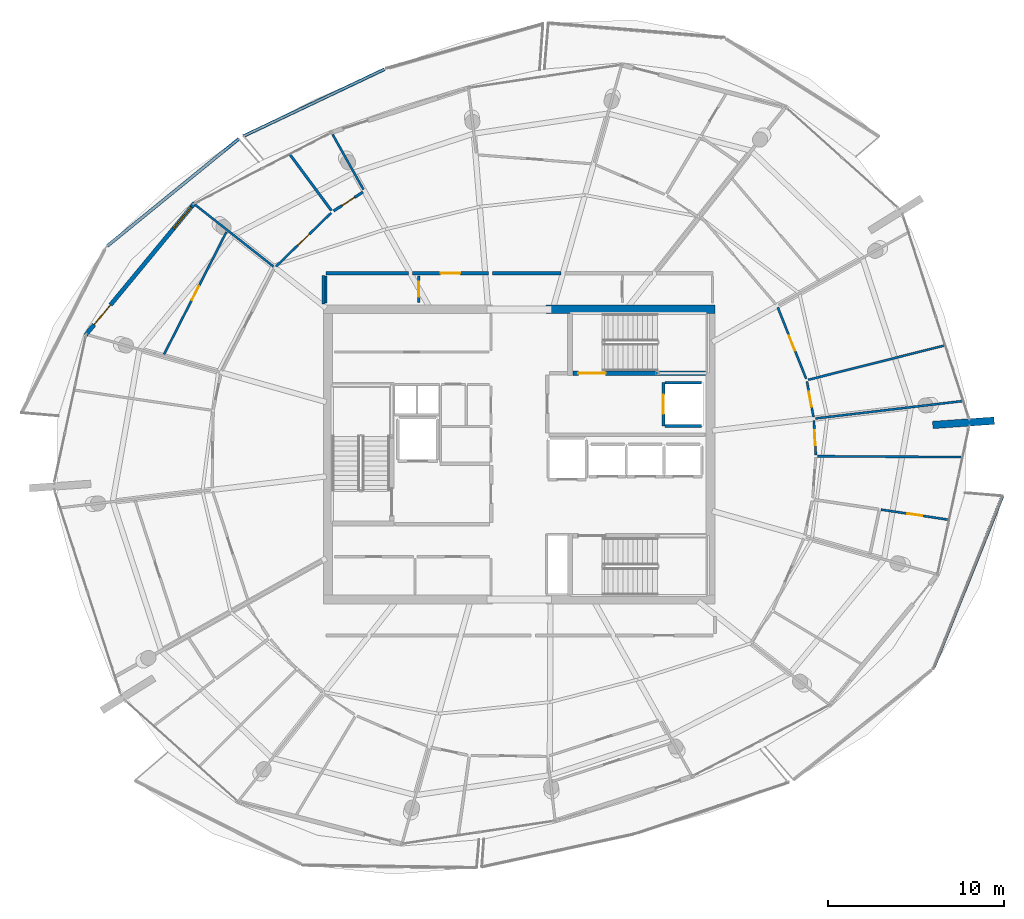
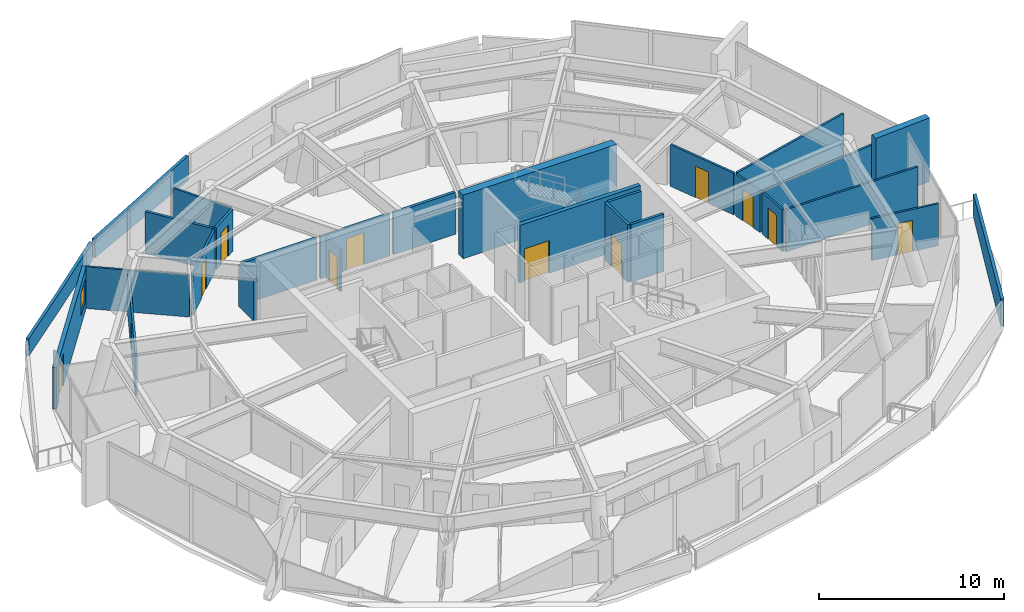
# One storey, part 12 of 19: 29 walls, 12 doors, 1 window, 13 openings.
"""IFC4 building model written with IfcOpenShell, lengths in metres."""

from ifc_helpers import new_model, si_unit, direction, frame, frame_2d, origin, place, context, subcontext, project, spatial, polyline, rectangle, outline, extrude, material, layer, layer_set, type_object, element, fill, save


model = new_model("IFC4")

# Units and contexts
model_context = context("Model", 3, precision=1e-05, world=origin(), true_north=direction((0.0, 1.0)))
body_context = subcontext(model_context, "Body", "Model", "MODEL_VIEW")
ifc_project = project(units=[si_unit("LENGTHUNIT", "METRE"), si_unit("AREAUNIT", "SQUARE_METRE"), si_unit("VOLUMEUNIT", "CUBIC_METRE"), si_unit("PLANEANGLEUNIT", "RADIAN"), si_unit("MASSUNIT", "GRAM", prefix="KILO")], contexts=[model_context])

# Site, building, storey
site_placement = place(None, origin())
site = spatial("IfcSite", under=ifc_project, at=site_placement, CompositionType="ELEMENT")
building_placement = place(site_placement, origin())
building = spatial("IfcBuilding", under=site, at=building_placement, Name="Kazma Halo Residences", CompositionType="ELEMENT")
storey_placement = place(building_placement, frame((0.0, 0.0, 347.300048828125)))
storey = spatial("IfcBuildingStorey", under=building, at=storey_placement, Name="L87", CompositionType="ELEMENT", Elevation=347.300048828125)

# Walls
ifc_material_1 = material(Name="White Concrete C50/60 Balustrade", Category="concrete")
ifc_layer_1 = layer(ifc_material_1, 0.179931640625)
ifc_layer_set_1 = layer_set([ifc_layer_1], Name="White Concrete C50/60 Balustrade")
wall_type_1 = type_object("IfcWallType", Name="WL-BAL-WAVE-180", PredefinedType="PARAPET", material=ifc_layer_set_1)
wall_1_placement = place(storey_placement, frame((40.757568359375, 63.90478515625, 0.0), z_axis=(0.0, 0.0, 1.0), x_axis=(-0.903556417481, -0.428469135912, 0.0)))
element("IfcWall", 1, at=wall_1_placement, inside=storey, type_object=wall_type_1, Name="L87 white wave balustrade wall NNW.2", PredefinedType="PARAPET", context=body_context, shape_type="SweptSolid", body=[
    extrude(outline(polyline([(0.0, 0.0), (8.882080078125, 0.0), (8.882080078125, 1.23291015625), (4.44091796875, 1.41796875), (0.0, 1.6318359375), (0.0, 0.0)])), frame((0.0, 0.08984375, 0.0), z_axis=(0.0, -1.0, 0.0), x_axis=(1.0, 0.0, 0.0)), (0.0, 0.0, 1.0), 0.179931640625),
])
wall_2_placement = place(storey_placement, frame((32.477783203125, 59.951171875, 0.0), z_axis=(0.0, 0.0, 1.0), x_axis=(-0.775308764642, -0.631582393255, 0.0)))
element("IfcWall", 2, at=wall_2_placement, inside=storey, type_object=wall_type_1, Name="L87 white wave balustrade wall NW.1", PredefinedType="PARAPET", context=body_context, shape_type="SweptSolid", body=[
    extrude(outline(polyline([(0.0, 0.0), (9.661865234375, 0.0), (9.66162109375, 1.14794921875), (4.830810546875, 1.126953125), (0.0, 1.223876953125), (0.0, 0.0)])), frame((0.0, 0.08984375, 0.0), z_axis=(0.0, -1.0, 0.0), x_axis=(1.0, 0.0, 0.0)), (0.0, 0.0, 1.0), 0.179931640625),
])
wall_3_placement = place(storey_placement, frame((72.0068359375, 29.902099609375, 0.0), z_axis=(0.0, 0.0, 1.0), x_axis=(0.372269858955, 0.928124534809, 0.0)))
element("IfcWall", 3, at=wall_3_placement, inside=storey, type_object=wall_type_1, Name="L87 white wave balustrade wall SE.2", PredefinedType="PARAPET", context=body_context, shape_type="SweptSolid", body=[
    extrude(outline(polyline([(0.0, 0.0), (10.483154296875, 0.0), (10.4833984375, 1.4970703125), (5.24169921875, 1.696044921875), (0.0, 1.83203125), (0.0, 0.0)])), frame((0.0, 0.08984375, 0.0), z_axis=(0.0, -1.0, 0.0), x_axis=(1.0, 0.0, 0.0)), (0.0, 0.0, 1.0), 0.179931640625),
])
ifc_material_2 = material(Name="Pale Concrete C60/75", Category="concrete")
ifc_layer_2 = layer(ifc_material_2, 0.419921875)
ifc_layer_set_2 = layer_set([ifc_layer_2], Name="Pale Concrete C60/75")
wall_type_2 = type_object("IfcWallType", Name="WL-BLADE-420", PredefinedType="SOLIDWALL", material=ifc_layer_set_2)
wall_4_placement = place(storey_placement, frame((71.94091796875, 43.674072265625, 0.0), z_axis=(0.0, 0.0, 1.0), x_axis=(0.997564163539, 0.069754853754, 0.0)))
element("IfcWall", 4, at=wall_4_placement, inside=storey, type_object=wall_type_2, Name="L87 pale concrete structural blade fin wall BW-04", PredefinedType="SOLIDWALL", context=body_context, shape_type="SweptSolid", body=[
    extrude(rectangle(XDim=3.5, YDim=0.419921875, at=frame_2d((1.75, 0.0))), origin(), (0.0, 0.0, 1.0), 4.199951171875),
])
ifc_material_3 = material(Name="Concrete C60/75", Category="concrete")
ifc_layer_3 = layer(ifc_material_3, 0.5)
ifc_layer_set_3 = layer_set([ifc_layer_3], Name="Concrete C60/75")
wall_type_3 = type_object("IfcWallType", Name="WL-CORE-500", PredefinedType="SHEAR", material=ifc_layer_set_3)
wall_5_placement = place(storey_placement, frame((49.949951171875, 50.25, 0.0), z_axis=(0.0, 0.0, 1.0), x_axis=(1.0, 0.0, 0.0)))
element("IfcWall", 5, at=wall_5_placement, inside=storey, type_object=wall_type_3, Name="L87 central core shear wall NE", PredefinedType="SHEAR", context=body_context, shape_type="SweptSolid", body=[
    extrude(rectangle(XDim=9.60009765625, YDim=0.5, at=frame_2d((4.800048828125, 0.0))), origin(), (0.0, 0.0, 1.0), 4.199951171875),
])

# Wall, opening, door
ifc_material_4 = material(Name="Acoustic Twin-Stud Gypsum")
ifc_layer_4 = layer(ifc_material_4, 0.179931640625)
ifc_layer_set_4 = layer_set([ifc_layer_4], Name="Acoustic Twin-Stud Gypsum")
wall_type_4 = type_object("IfcWallType", Name="WL-DEM-180", PredefinedType="PARTITIONING", material=ifc_layer_set_4)
wall_6_placement = place(storey_placement, frame((46.660888671875, 52.300048828125, 0.0), z_axis=(0.0, 0.0, 1.0), x_axis=(-1.0, 0.0, 0.0)))
wall_6 = element("IfcWall", 6, at=wall_6_placement, inside=storey, type_object=wall_type_4, Name="L87 Penthouse 1 entrance corridor wall", PredefinedType="PARTITIONING", context=body_context, shape_type="SweptSolid", body=[
    extrude(rectangle(XDim=4.30908203125, YDim=0.179931640625, at=frame_2d((2.154541015625, 0.0))), origin(), (0.0, 0.0, 1.0), 2.7568359375),
])
opening_1_placement = place(wall_6_placement, frame((1.6044921875, 0.0, 0.0)))
opening_1 = element("IfcOpeningElement", 7, at=opening_1_placement, cuts=wall_6, Name="Opening DA-1100", PredefinedType="OPENING", context=body_context, shape_type="SweptSolid", body=[
    extrude(rectangle(XDim=1.10009765625, YDim=2.10009765625, at=frame_2d((0.550048828125, 1.050048828125))), frame((0.0, 0.099853515625, 0.0), z_axis=(0.0, -1.0, 0.0), x_axis=(1.0, 0.0, 0.0)), (0.0, 0.0, 1.0), 0.199951171875),
])
ifc_material_5 = material(Name="Acoustic Walnut Fire Leaf")
door_type_1 = type_object("IfcDoorType", Name="DR-FD60-1100", OperationType="NOTDEFINED", PredefinedType="DOOR", material=ifc_material_5)
door_1_placement = place(opening_1_placement, origin())
door_1 = element("IfcDoor", 8, at=door_1_placement, inside=storey, type_object=door_type_1, Name="L87 Penthouse 1 entrance fire door", OperationType="SINGLE_SWING_LEFT", OverallHeight=2.10009765625, OverallWidth=1.10009765625, PredefinedType="DOOR", context=body_context, shape_type="SweptSolid", body=[
    extrude(rectangle(XDim=1.10009765625, YDim=2.10009765625, at=frame_2d((0.550048828125, 1.050048828125))), frame((0.0, 0.02490234375, 0.0), z_axis=(0.0, -1.0, 0.0), x_axis=(1.0, 0.0, 0.0)), (0.0, 0.0, 1.0), 0.050048828125),
])
fill(opening_1, door_1)

# Walls
wall_7_placement = place(storey_placement, frame((50.784912109375, 52.300048828125, 0.0), z_axis=(0.0, 0.0, 1.0), x_axis=(-1.0, 0.0, 0.0)))
element("IfcWall", 9, at=wall_7_placement, inside=storey, type_object=wall_type_4, Name="L87 Penthouse 1 inner wall 2", PredefinedType="PARTITIONING", context=body_context, shape_type="SweptSolid", body=[
    extrude(rectangle(XDim=3.884033203125, YDim=0.179931640625, at=frame_2d((1.94189453125, 0.0))), origin(), (0.0, 0.0, 1.0), 2.7568359375),
])
wall_8_placement = place(storey_placement, frame((42.11181640625, 52.300048828125, 0.0), z_axis=(0.0, 0.0, 1.0), x_axis=(-1.0, 0.0, 0.0)))
element("IfcWall", 10, at=wall_8_placement, inside=storey, type_object=wall_type_4, Name="L87 Penthouse 1 inner wall 4", PredefinedType="PARTITIONING", context=body_context, shape_type="SweptSolid", body=[
    extrude(rectangle(XDim=4.69189453125, YDim=0.179931640625, at=frame_2d((2.345947265625, 0.0))), origin(), (0.0, 0.0, 1.0), 2.7568359375),
])
wall_9_placement = place(storey_placement, frame((37.300048828125, 52.179931640625, 0.0), z_axis=(0.0, 0.0, 1.0), x_axis=(0.0, -1.0, 0.0)))
element("IfcWall", 11, at=wall_9_placement, inside=storey, type_object=wall_type_4, Name="L87 Penthouse 1 inner wall 4", PredefinedType="PARTITIONING", context=body_context, shape_type="SweptSolid", body=[
    extrude(rectangle(XDim=1.624755859375, YDim=0.179931640625, at=frame_2d((0.8125, 0.0))), origin(), (0.0, 0.0, 1.0), 2.7568359375),
])

# Wall, openings, door, window
ifc_material_6 = material(Name="Insulated Pale-Metal Composite Wall")
ifc_layer_5 = layer(ifc_material_6, 0.239990234375)
ifc_layer_set_5 = layer_set([ifc_layer_5], Name="Insulated Pale-Metal Composite Wall")
wall_type_5 = type_object("IfcWallType", Name="WL-EXT-HOST-240", PredefinedType="SOLIDWALL", material=ifc_layer_set_5)
wall_10_placement = place(storey_placement, frame((29.955322265625, 56.288818359375, 0.0), z_axis=(0.0, 0.0, 1.0), x_axis=(-0.636803612721, -0.771026042897, 0.0)))
wall_10 = element("IfcWall", 12, at=wall_10_placement, inside=storey, type_object=wall_type_5, Name="L87 exterior terrace-access wall B06", PredefinedType="SOLIDWALL", context=body_context, shape_type="SweptSolid", body=[
    extrude(rectangle(XDim=9.7275390625, YDim=0.239990234375, at=frame_2d((4.86376953125, 0.0))), origin(), (0.0, 0.0, 1.0), 2.75),
])
opening_2_placement = place(wall_10_placement, frame((7.5078125, 0.0, 0.0)))
opening_2 = element("IfcOpeningElement", 13, at=opening_2_placement, cuts=wall_10, Name="Opening DTR-1600", PredefinedType="OPENING", context=body_context, shape_type="SweptSolid", body=[
    extrude(rectangle(XDim=1.449951171875, YDim=2.14990234375, at=frame_2d((0.72509765625, 1.074951171875))), frame((0.0, 0.1298828125, 0.0), z_axis=(0.0, -1.0, 0.0), x_axis=(1.0, 0.0, 0.0)), (0.0, 0.0, 1.0), 0.260009765625),
])
opening_3_placement = place(wall_10_placement, frame((0.280029296875, 0.0, 0.64990234375)))
opening_3 = element("IfcOpeningElement", 14, at=opening_3_placement, cuts=wall_10, Name="Opening W-1800", PredefinedType="OPENING", context=body_context, shape_type="SweptSolid", body=[
    extrude(rectangle(XDim=1.60009765625, YDim=1.5, at=frame_2d((0.800048828125, 0.75))), frame((0.0, 0.1298828125, 0.0), z_axis=(0.0, -1.0, 0.0), x_axis=(1.0, 0.0, 0.0)), (0.0, 0.0, 1.0), 0.260009765625),
])
ifc_material_7 = material(Name="Aluminium AW-6063 T6 Double-Glazed Terrace Door", Category="aluminium")
door_type_2 = type_object("IfcDoorType", Name="DR-EXT-TERR-1600", OperationType="NOTDEFINED", PredefinedType="DOOR", material=ifc_material_7)
door_2_placement = place(opening_2_placement, origin())
door_2 = element("IfcDoor", 15, at=door_2_placement, inside=storey, type_object=door_type_2, Name="L87 B06 balcony terrace door", OperationType="DOUBLE_DOOR_SLIDING", OverallHeight=2.14990234375, OverallWidth=1.449951171875, PredefinedType="DOOR", context=body_context, shape_type="SweptSolid", body=[
    extrude(rectangle(XDim=1.449951171875, YDim=2.14990234375, at=frame_2d((0.72509765625, 1.074951171875))), frame((0.0, 0.02490234375, 0.0), z_axis=(0.0, -1.0, 0.0), x_axis=(1.0, 0.0, 0.0)), (0.0, 0.0, 1.0), 0.050048828125),
])
fill(opening_2, door_2)
ifc_material_8 = material(Name="Clear Triple-Silver Low-E Glass in Aluminium AW-6063 T6 Frame", Category="aluminium")
window_type = type_object("IfcWindowType", Name="WIN-RES-1800", PartitioningType="DOUBLE_PANEL_VERTICAL", PredefinedType="WINDOW", material=ifc_material_8)
window_placement = place(opening_3_placement, origin())
window = element("IfcWindow", 16, at=window_placement, inside=storey, type_object=window_type, Name="L87 B06 apartment window", OverallHeight=1.5, OverallWidth=1.60009765625, PartitioningType="SINGLE_PANEL", PredefinedType="WINDOW", context=body_context, shape_type="SweptSolid", body=[
    extrude(rectangle(XDim=1.60009765625, YDim=1.5, at=frame_2d((0.800048828125, 0.75))), frame((0.0, 0.030029296875, 0.0), z_axis=(0.0, -1.0, 0.0), x_axis=(1.0, 0.0, 0.0)), (0.0, 0.0, 1.0), 0.06005859375),
])
fill(opening_3, window)

# Wall, opening, door
ifc_material_9 = material(Name="Fire-Rated Blockwork Masonry", Category="masonry")
ifc_layer_6 = layer(ifc_material_9, 0.199951171875)
ifc_layer_set_6 = layer_set([ifc_layer_6], Name="Fire-Rated Blockwork Masonry")
wall_type_6 = type_object("IfcWallType", Name="WL-FLB-200", PredefinedType="PARTITIONING", material=ifc_layer_set_6)
wall_11_placement = place(storey_placement, frame((56.6201171875, 46.080078125, 0.0), z_axis=(0.0, 0.0, 1.0), x_axis=(0.0, -1.0, 0.0)))
wall_11 = element("IfcWall", 17, at=wall_11_placement, inside=storey, type_object=wall_type_6, Name="L87 lift shaft FL-02 front wall", PredefinedType="PARTITIONING", context=body_context, shape_type="SweptSolid", body=[
    extrude(rectangle(XDim=2.4599609375, YDim=0.159912109375, at=frame_2d((1.22998046875, 0.0))), origin(), (0.0, 0.0, 1.0), 3.800048828125),
])
opening_4_placement = place(wall_11_placement, frame((0.679931640625, 0.0, 0.0)))
opening_4 = element("IfcOpeningElement", 18, at=opening_4_placement, cuts=wall_11, Name="Opening LD-FL-02", PredefinedType="OPENING", context=body_context, shape_type="SweptSolid", body=[
    extrude(rectangle(XDim=1.10009765625, YDim=2.10009765625, at=frame_2d((0.550048828125, 1.050048828125))), frame((0.0, 0.08984375, 0.0), z_axis=(0.0, -1.0, 0.0), x_axis=(1.0, 0.0, 0.0)), (0.0, 0.0, 1.0), 0.179931640625),
])
ifc_material_10 = material(Name="Stainless Steel Fire-Rated", Category="steel")
door_type_3 = type_object("IfcDoorType", Name="DR-LIFT-SLD-1100", OperationType="DOUBLE_DOOR_SLIDING", PredefinedType="DOOR", material=ifc_material_10)
door_3_placement = place(opening_4_placement, origin())
door_3 = element("IfcDoor", 19, at=door_3_placement, inside=storey, type_object=door_type_3, Name="L87 lift FL-02 sliding landing door", OperationType="DOUBLE_DOOR_SLIDING", OverallHeight=2.10009765625, OverallWidth=1.10009765625, PredefinedType="DOOR", context=body_context, shape_type="SweptSolid", body=[
    extrude(rectangle(XDim=1.10009765625, YDim=2.10009765625, at=frame_2d((0.550048828125, 1.050048828125))), frame((0.0, 0.02490234375, 0.0), z_axis=(0.0, -1.0, 0.0), x_axis=(1.0, 0.0, 0.0)), (0.0, 0.0, 1.0), 0.050048828125),
])
fill(opening_4, door_3)

# Walls
for number, where, z_axis, x_axis, name in (
    (20, (56.719970703125, 46.080078125, 0.0), (0.0, 0.0, 1.0), (1.0, 0.0, 0.0), "L87 lift shaft FL-02 side wall N"),
    (21, (56.719970703125, 43.6201171875, 0.0), (0.0, 0.0, 1.0), (1.0, 0.0, 0.0), "L87 lift shaft FL-02 side wall S"),
):
    element("IfcWall", number, at=place(storey_placement, frame(where, z_axis=z_axis, x_axis=x_axis)), inside=storey, type_object=wall_type_6, Name=name, PredefinedType="PARTITIONING", context=body_context, shape_type="SweptSolid", body=[
        extrude(rectangle(XDim=2.06005859375, YDim=0.159912109375, at=frame_2d((1.030029296875, 0.0))), origin(), (0.0, 0.0, 1.0), 3.800048828125),
    ])
ifc_material_11 = material(Name="Gypsum Plasterboard Partition")
ifc_layer_7 = layer(ifc_material_11, 0.125)
ifc_layer_set_7 = layer_set([ifc_layer_7], Name="Gypsum Plasterboard Partition")
wall_type_7 = type_object("IfcWallType", Name="WL-PART-125", PredefinedType="PARTITIONING", material=ifc_layer_set_7)
wall_12_placement = place(storey_placement, frame((37.43994140625, 50.6201171875, 0.0), z_axis=(0.0, 0.0, 1.0), x_axis=(0.0, 1.0, 0.0)))
element("IfcWall", 22, at=wall_12_placement, inside=storey, type_object=wall_type_7, Name="L87 west linen end wall", PredefinedType="PARTITIONING", context=body_context, shape_type="SweptSolid", body=[
    extrude(rectangle(XDim=1.539794921875, YDim=0.125, at=frame_2d((0.77001953125, 0.0))), origin(), (0.0, 0.0, 1.0), 2.7568359375),
])

# Wall, opening, door
wall_13_placement = place(storey_placement, frame((42.7099609375, 50.639892578125, 0.0), z_axis=(0.0, 0.0, 1.0), x_axis=(0.0, 1.0, 0.0)))
wall_13 = element("IfcWall", 23, at=wall_13_placement, inside=storey, type_object=wall_type_7, Name="L87 floor linen store door wall", PredefinedType="PARTITIONING", context=body_context, shape_type="SweptSolid", body=[
    extrude(rectangle(XDim=1.52001953125, YDim=0.125, at=frame_2d((0.760009765625, 0.0))), origin(), (0.0, 0.0, 1.0), 2.7568359375),
])
opening_5_placement = place(wall_13_placement, frame((0.3349609375, 0.0, 0.0)))
opening_5 = element("IfcOpeningElement", 24, at=opening_5_placement, cuts=wall_13, Name="Opening DS-850", PredefinedType="OPENING", context=body_context, shape_type="SweptSolid", body=[
    extrude(rectangle(XDim=0.85009765625, YDim=2.06005859375, at=frame_2d((0.425048828125, 1.030029296875))), frame((0.0, 0.072509765625, 0.0), z_axis=(0.0, -1.0, 0.0), x_axis=(1.0, 0.0, 0.0)), (0.0, 0.0, 1.0), 0.14501953125),
])
ifc_material_12 = material(Name="Painted Steel Access Leaf", Category="steel")
door_type_4 = type_object("IfcDoorType", Name="DR-SVC-850", OperationType="NOTDEFINED", PredefinedType="DOOR", material=ifc_material_12)
door_4_placement = place(opening_5_placement, origin())
door_4 = element("IfcDoor", 25, at=door_4_placement, inside=storey, type_object=door_type_4, Name="L87 floor linen store door", OperationType="SINGLE_SWING_RIGHT", OverallHeight=2.06005859375, OverallWidth=0.85009765625, PredefinedType="DOOR", context=body_context, shape_type="SweptSolid", body=[
    extrude(rectangle(XDim=0.85009765625, YDim=2.06005859375, at=frame_2d((0.425048828125, 1.030029296875))), frame((0.0, 0.02490234375, 0.0), z_axis=(0.0, -1.0, 0.0), x_axis=(1.0, 0.0, 0.0)), (0.0, 0.0, 1.0), 0.050048828125),
])
fill(opening_5, door_4)

# Wall
wall_14_placement = place(storey_placement, frame((39.56494140625, 57.06201171875, 0.0), z_axis=(0.0, 0.0, 1.0), x_axis=(-0.488617828282, 0.872497918556, 0.0)))
element("IfcWall", 26, at=wall_14_placement, inside=storey, type_object=wall_type_7, Name="L87 Penthouse 1 radial partition 4", PredefinedType="PARTITIONING", context=body_context, shape_type="SweptSolid", body=[
    extrude(rectangle(XDim=3.59912109375, YDim=0.125, at=frame_2d((1.799560546875, 0.0))), origin(), (0.0, 0.0, 1.0), 2.7568359375),
])

# Wall, opening, door
wall_15_placement = place(storey_placement, frame((37.727783203125, 55.73486328125, 0.0), z_axis=(0.0, 0.0, 1.0), x_axis=(-0.717843655189, -0.696204342636, 0.0)))
wall_15 = element("IfcWall", 27, at=wall_15_placement, inside=storey, type_object=wall_type_7, Name="L87 Penthouse 1 North Master Bedroom hall wall", PredefinedType="PARTITIONING", context=body_context, shape_type="SweptSolid", body=[
    extrude(rectangle(XDim=4.3662109375, YDim=0.125, at=frame_2d((2.18310546875, 0.0))), origin(), (0.0, 0.0, 1.0), 2.7568359375),
])
opening_6_placement = place(wall_15_placement, frame((1.733154296875, 0.0, 0.0)))
opening_6 = element("IfcOpeningElement", 28, at=opening_6_placement, cuts=wall_15, Name="Opening DI-950", PredefinedType="OPENING", context=body_context, shape_type="SweptSolid", body=[
    extrude(rectangle(XDim=0.89990234375, YDim=2.080078125, at=frame_2d((0.449951171875, 1.0400390625))), frame((0.0, 0.072509765625, 0.0), z_axis=(0.0, -1.0, 0.0), x_axis=(1.0, 0.0, 0.0)), (0.0, 0.0, 1.0), 0.14501953125),
])
ifc_material_13 = material(Name="Timber Veneer Flush Leaf", Category="wood")
door_type_5 = type_object("IfcDoorType", Name="DR-INT-950", OperationType="NOTDEFINED", PredefinedType="DOOR", material=ifc_material_13)
door_5_placement = place(opening_6_placement, origin())
door_5 = element("IfcDoor", 29, at=door_5_placement, inside=storey, type_object=door_type_5, Name="L87 Penthouse 1 North Master Bedroom door", OperationType="SINGLE_SWING_RIGHT", OverallHeight=2.080078125, OverallWidth=0.89990234375, PredefinedType="DOOR", context=body_context, shape_type="SweptSolid", body=[
    extrude(rectangle(XDim=0.89990234375, YDim=2.080078125, at=frame_2d((0.449951171875, 1.0400390625))), frame((0.0, 0.02490234375, 0.0), z_axis=(0.0, -1.0, 0.0), x_axis=(1.0, 0.0, 0.0)), (0.0, 0.0, 1.0), 0.050048828125),
])
fill(opening_6, door_5)

# Wall
wall_16_placement = place(storey_placement, frame((34.443115234375, 52.6875, 0.0), z_axis=(0.0, 0.0, 1.0), x_axis=(-0.785329715116, 0.61907773224, 0.0)))
element("IfcWall", 30, at=wall_16_placement, inside=storey, type_object=wall_type_7, Name="L87 Penthouse 1 radial partition 5", PredefinedType="PARTITIONING", context=body_context, shape_type="SweptSolid", body=[
    extrude(rectangle(XDim=5.72998046875, YDim=0.125, at=frame_2d((2.864990234375, 0.0))), origin(), (0.0, 0.0, 1.0), 2.7568359375),
])

# Wall, opening, door
wall_17_placement = place(storey_placement, frame((31.771728515625, 54.656005859375, 0.0), z_axis=(0.0, 0.0, 1.0), x_axis=(-0.453983318952, -0.891010182946, 0.0)))
wall_17 = element("IfcWall", 31, at=wall_17_placement, inside=storey, type_object=wall_type_7, Name="L87 Penthouse 1 Inner Bedroom divider wall", PredefinedType="PARTITIONING", context=body_context, shape_type="SweptSolid", body=[
    extrude(rectangle(XDim=7.818115234375, YDim=0.125, at=frame_2d((3.9091796875, 0.0))), origin(), (0.0, 0.0, 1.0), 2.7568359375),
])
opening_7_placement = place(wall_17_placement, frame((3.458984375, 0.0, 0.0)))
opening_7 = element("IfcOpeningElement", 32, at=opening_7_placement, cuts=wall_17, Name="Opening DI-950", PredefinedType="OPENING", context=body_context, shape_type="SweptSolid", body=[
    extrude(rectangle(XDim=0.89990234375, YDim=2.080078125, at=frame_2d((0.449951171875, 1.0400390625))), frame((0.0, 0.072509765625, 0.0), z_axis=(0.0, -1.0, 0.0), x_axis=(1.0, 0.0, 0.0)), (0.0, 0.0, 1.0), 0.14501953125),
])
door_6_placement = place(opening_7_placement, origin())
door_6 = element("IfcDoor", 33, at=door_6_placement, inside=storey, type_object=door_type_5, Name="L87 Penthouse 1 Inner Bedroom door", OperationType="SINGLE_SWING_RIGHT", OverallHeight=2.080078125, OverallWidth=0.89990234375, PredefinedType="DOOR", context=body_context, shape_type="SweptSolid", body=[
    extrude(rectangle(XDim=0.89990234375, YDim=2.080078125, at=frame_2d((0.449951171875, 1.0400390625))), frame((0.0, 0.02490234375, 0.0), z_axis=(0.0, -1.0, 0.0), x_axis=(1.0, 0.0, 0.0)), (0.0, 0.0, 1.0), 0.050048828125),
])
fill(opening_7, door_6)

wall_18_placement = place(storey_placement, frame((69.00244140625, 38.859375, 0.0), z_axis=(0.0, 0.0, 1.0), x_axis=(0.988996581297, -0.147938372921, 0.0)))
wall_18 = element("IfcWall", 34, at=wall_18_placement, inside=storey, type_object=wall_type_7, Name="L87 Penthouse 2 Gulf Walk-In Wardrobe partition wall", PredefinedType="PARTITIONING", context=body_context, shape_type="SweptSolid", body=[
    extrude(rectangle(XDim=3.8896484375, YDim=0.125, at=frame_2d((1.94482421875, 0.0))), origin(), (0.0, 0.0, 1.0), 2.77490234375),
])
opening_8_placement = place(wall_18_placement, frame((1.519775390625, 0.0, 0.0)))
opening_8 = element("IfcOpeningElement", 35, at=opening_8_placement, cuts=wall_18, Name="Opening DB-900", PredefinedType="OPENING", context=body_context, shape_type="SweptSolid", body=[
    extrude(rectangle(XDim=0.85009765625, YDim=2.06005859375, at=frame_2d((0.425048828125, 1.030029296875))), frame((0.0, 0.072509765625, 0.0), z_axis=(0.0, -1.0, 0.0), x_axis=(1.0, 0.0, 0.0)), (0.0, 0.0, 1.0), 0.14501953125),
])
ifc_material_14 = material(Name="Moisture-Sealed Timber Leaf", Category="wood")
door_type_6 = type_object("IfcDoorType", Name="DR-BTH-900", OperationType="NOTDEFINED", PredefinedType="DOOR", material=ifc_material_14)
door_7_placement = place(opening_8_placement, origin())
door_7 = element("IfcDoor", 36, at=door_7_placement, inside=storey, type_object=door_type_6, Name="L87 Penthouse 2 Gulf Walk-In Wardrobe door", OperationType="SINGLE_SWING_LEFT", OverallHeight=2.06005859375, OverallWidth=0.85009765625, PredefinedType="DOOR", context=body_context, shape_type="SweptSolid", body=[
    extrude(rectangle(XDim=0.85009765625, YDim=2.06005859375, at=frame_2d((0.425048828125, 1.030029296875))), frame((0.0, 0.02490234375, 0.0), z_axis=(0.0, -1.0, 0.0), x_axis=(1.0, 0.0, 0.0)), (0.0, 0.0, 1.0), 0.050048828125),
])
fill(opening_8, door_7)

# Wall
wall_19_placement = place(storey_placement, frame((65.3857421875, 41.895751953125, 0.0), z_axis=(0.0, 0.0, 1.0), x_axis=(0.999982039273, -0.005993424085, 0.0)))
element("IfcWall", 37, at=wall_19_placement, inside=storey, type_object=wall_type_7, Name="L87 Penthouse 2 suite divider 14", PredefinedType="PARTITIONING", context=body_context, shape_type="SweptSolid", body=[
    extrude(rectangle(XDim=8.228515625, YDim=0.125, at=frame_2d((4.1142578125, 0.0))), origin(), (0.0, 0.0, 1.0), 2.77490234375),
])

# Wall, opening, door
wall_20_placement = place(storey_placement, frame((65.291259765625, 41.976318359375, 0.0), z_axis=(0.0, 0.0, 1.0), x_axis=(-0.055932266986, 0.998434565462, 0.0)))
wall_20 = element("IfcWall", 38, at=wall_20_placement, inside=storey, type_object=wall_type_7, Name="L87 Penthouse 2 Secondary Master Bedroom hall wall", PredefinedType="PARTITIONING", context=body_context, shape_type="SweptSolid", body=[
    extrude(rectangle(XDim=1.9599609375, YDim=0.125, at=frame_2d((0.97998046875, 0.0))), origin(), (0.0, 0.0, 1.0), 2.7568359375),
])
opening_9_placement = place(wall_20_placement, frame((0.554931640625, 0.0, 0.0)))
opening_9 = element("IfcOpeningElement", 39, at=opening_9_placement, cuts=wall_20, Name="Opening DB-900", PredefinedType="OPENING", context=body_context, shape_type="SweptSolid", body=[
    extrude(rectangle(XDim=0.85009765625, YDim=2.06005859375, at=frame_2d((0.425048828125, 1.030029296875))), frame((0.0, 0.072509765625, 0.0), z_axis=(0.0, -1.0, 0.0), x_axis=(1.0, 0.0, 0.0)), (0.0, 0.0, 1.0), 0.14501953125),
])
door_8_placement = place(opening_9_placement, origin())
door_8 = element("IfcDoor", 40, at=door_8_placement, inside=storey, type_object=door_type_6, Name="L87 Penthouse 2 Secondary Master Bedroom door", OperationType="SINGLE_SWING_LEFT", OverallHeight=2.06005859375, OverallWidth=0.85009765625, PredefinedType="DOOR", context=body_context, shape_type="SweptSolid", body=[
    extrude(rectangle(XDim=0.85009765625, YDim=2.06005859375, at=frame_2d((0.425048828125, 1.030029296875))), frame((0.0, 0.02490234375, 0.0), z_axis=(0.0, -1.0, 0.0), x_axis=(1.0, 0.0, 0.0)), (0.0, 0.0, 1.0), 0.050048828125),
])
fill(opening_9, door_8)

# Walls
wall_21_placement = place(storey_placement, frame((65.275390625, 44.044677734375, 0.0), z_axis=(0.0, 0.0, 1.0), x_axis=(0.993069210767, 0.117531028353, 0.0)))
element("IfcWall", 41, at=wall_21_placement, inside=storey, type_object=wall_type_7, Name="L87 Penthouse 2 radial partition 15", PredefinedType="PARTITIONING", context=body_context, shape_type="SweptSolid", body=[
    extrude(rectangle(XDim=8.43994140625, YDim=0.125, at=frame_2d((4.219970703125, 0.0))), origin(), (0.0, 0.0, 1.0), 2.7568359375),
])
wall_22_placement = place(storey_placement, frame((64.860107421875, 46.244384765625, 0.0), z_axis=(0.0, 0.0, 1.0), x_axis=(0.969745005786, 0.244120101083, 0.0)))
element("IfcWall", 42, at=wall_22_placement, inside=storey, type_object=wall_type_7, Name="L87 Penthouse 2 mid-bay wall 15", PredefinedType="PARTITIONING", context=body_context, shape_type="SweptSolid", body=[
    extrude(rectangle(XDim=8.0107421875, YDim=0.125, at=frame_2d((4.00537109375, 0.0))), origin(), (0.0, 0.0, 1.0), 2.77490234375),
])

# Wall, opening, door
wall_23_placement = place(storey_placement, frame((65.157958984375, 44.131103515625, 0.0), z_axis=(0.0, 0.0, 1.0), x_axis=(-0.181226197609, 0.98344143969, 0.0)))
wall_23 = element("IfcWall", 43, at=wall_23_placement, inside=storey, type_object=wall_type_7, Name="L87 Penthouse 2 East Wine Pantry Store hall wall", PredefinedType="PARTITIONING", context=body_context, shape_type="SweptSolid", body=[
    extrude(rectangle(XDim=2.04638671875, YDim=0.125, at=frame_2d((1.023193359375, 0.0))), origin(), (0.0, 0.0, 1.0), 2.7568359375),
])
opening_10_placement = place(wall_23_placement, frame((0.59814453125, 0.0, 0.0)))
opening_10 = element("IfcOpeningElement", 44, at=opening_10_placement, cuts=wall_23, Name="Opening DB-900", PredefinedType="OPENING", context=body_context, shape_type="SweptSolid", body=[
    extrude(rectangle(XDim=0.85009765625, YDim=2.06005859375, at=frame_2d((0.425048828125, 1.030029296875))), frame((0.0, 0.072509765625, 0.0), z_axis=(0.0, -1.0, 0.0), x_axis=(1.0, 0.0, 0.0)), (0.0, 0.0, 1.0), 0.14501953125),
])
door_9_placement = place(opening_10_placement, origin())
door_9 = element("IfcDoor", 45, at=door_9_placement, inside=storey, type_object=door_type_6, Name="L87 Penthouse 2 East Wine Pantry Store door", OperationType="SINGLE_SWING_LEFT", OverallHeight=2.06005859375, OverallWidth=0.85009765625, PredefinedType="DOOR", context=body_context, shape_type="SweptSolid", body=[
    extrude(rectangle(XDim=0.85009765625, YDim=2.06005859375, at=frame_2d((0.425048828125, 1.030029296875))), frame((0.0, 0.02490234375, 0.0), z_axis=(0.0, -1.0, 0.0), x_axis=(1.0, 0.0, 0.0)), (0.0, 0.0, 1.0), 0.050048828125),
])
fill(opening_10, door_9)

wall_24_placement = place(storey_placement, frame((64.7431640625, 46.296630859375, 0.0), z_axis=(0.0, 0.0, 1.0), x_axis=(-0.369569971378, 0.929202903706, 0.0)))
wall_24 = element("IfcWall", 46, at=wall_24_placement, inside=storey, type_object=wall_type_7, Name="L87 Penthouse 2 West Formal Dining Room hall wall", PredefinedType="PARTITIONING", context=body_context, shape_type="SweptSolid", body=[
    extrude(rectangle(XDim=4.371337890625, YDim=0.125, at=frame_2d((2.185546875, 0.0))), origin(), (0.0, 0.0, 1.0), 2.7568359375),
])
opening_11_placement = place(wall_24_placement, frame((1.735595703125, 0.0, 0.0)))
opening_11 = element("IfcOpeningElement", 47, at=opening_11_placement, cuts=wall_24, Name="Opening DI-950", PredefinedType="OPENING", context=body_context, shape_type="SweptSolid", body=[
    extrude(rectangle(XDim=0.89990234375, YDim=2.080078125, at=frame_2d((0.449951171875, 1.0400390625))), frame((0.0, 0.072509765625, 0.0), z_axis=(0.0, -1.0, 0.0), x_axis=(1.0, 0.0, 0.0)), (0.0, 0.0, 1.0), 0.14501953125),
])
door_10_placement = place(opening_11_placement, origin())
door_10 = element("IfcDoor", 48, at=door_10_placement, inside=storey, type_object=door_type_5, Name="L87 Penthouse 2 West Formal Dining Room door", OperationType="SINGLE_SWING_RIGHT", OverallHeight=2.080078125, OverallWidth=0.89990234375, PredefinedType="DOOR", context=body_context, shape_type="SweptSolid", body=[
    extrude(rectangle(XDim=0.89990234375, YDim=2.080078125, at=frame_2d((0.449951171875, 1.0400390625))), frame((0.0, 0.02490234375, 0.0), z_axis=(0.0, -1.0, 0.0), x_axis=(1.0, 0.0, 0.0)), (0.0, 0.0, 1.0), 0.050048828125),
])
fill(opening_11, door_10)

ifc_material_15 = material(Name="Concrete C50/60", Category="concrete")
ifc_layer_8 = layer(ifc_material_15, 0.25)
ifc_layer_set_8 = layer_set([ifc_layer_8], Name="Concrete C50/60")
wall_type_8 = type_object("IfcWallType", Name="WL-SHF-250", PredefinedType="SOLIDWALL", material=ifc_layer_set_8)
wall_25_placement = place(storey_placement, frame((51.47998046875, 46.6201171875, 0.0), z_axis=(0.0, 0.0, 1.0), x_axis=(1.0, 0.0, 0.0)))
wall_25 = element("IfcWall", 49, at=wall_25_placement, inside=storey, type_object=wall_type_8, Name="L87 exit stair ST-02 enclosure wall", PredefinedType="SOLIDWALL", context=body_context, shape_type="SweptSolid", body=[
    extrude(rectangle(XDim=7.5400390625, YDim=0.25, at=frame_2d((3.77001953125, 0.0))), origin(), (0.0, 0.0, 1.0), 3.800048828125),
])
opening_12_placement = place(wall_25_placement, frame((0.300048828125, 0.0, 0.0)))
opening_12 = element("IfcOpeningElement", 50, at=opening_12_placement, cuts=wall_25, Name="Opening D-ST2", PredefinedType="OPENING", context=body_context, shape_type="SweptSolid", body=[
    extrude(rectangle(XDim=1.550048828125, YDim=2.14990234375, at=frame_2d((0.77490234375, 1.074951171875))), frame((0.0, 0.135009765625, 0.0), z_axis=(0.0, -1.0, 0.0), x_axis=(1.0, 0.0, 0.0)), (0.0, 0.0, 1.0), 0.27001953125),
])
ifc_material_16 = material(Name="Fire-Rated Double Steel Leaf", Category="steel")
door_type_7 = type_object("IfcDoorType", Name="DR-FD90-1550", OperationType="NOTDEFINED", PredefinedType="DOOR", material=ifc_material_16)
door_11_placement = place(opening_12_placement, origin())
door_11 = element("IfcDoor", 51, at=door_11_placement, inside=storey, type_object=door_type_7, Name="L87 exit stair ST-02 fire door", OperationType="DOUBLE_DOOR_SINGLE_SWING", OverallHeight=2.14990234375, OverallWidth=1.550048828125, PredefinedType="DOOR", context=body_context, shape_type="SweptSolid", body=[
    extrude(rectangle(XDim=1.550048828125, YDim=2.14990234375, at=frame_2d((0.77490234375, 1.074951171875))), frame((0.0, 0.02490234375, 0.0), z_axis=(0.0, -1.0, 0.0), x_axis=(1.0, 0.0, 0.0)), (0.0, 0.0, 1.0), 0.050048828125),
])
fill(opening_12, door_11)

ifc_material_17 = material(Name="Moisture-Resistant Gypsum")
ifc_layer_9 = layer(ifc_material_17, 0.14990234375)
ifc_layer_set_9 = layer_set([ifc_layer_9], Name="Moisture-Resistant Gypsum")
wall_type_9 = type_object("IfcWallType", Name="WL-WET-150", PredefinedType="PARTITIONING", material=ifc_layer_set_9)
wall_26_placement = place(storey_placement, frame((39.52978515625, 56.92041015625, 0.0), z_axis=(0.0, 0.0, 1.0), x_axis=(-0.839824942878, -0.542857315802, 0.0)))
wall_26 = element("IfcWall", 52, at=wall_26_placement, inside=storey, type_object=wall_type_9, Name="L87 Penthouse 1 West En-Suite Bathroom hall wall", PredefinedType="PARTITIONING", context=body_context, shape_type="SweptSolid", body=[
    extrude(rectangle(XDim=1.978759765625, YDim=0.14990234375, at=frame_2d((0.9892578125, 0.0))), origin(), (0.0, 0.0, 1.0), 2.7568359375),
])
opening_13_placement = place(wall_26_placement, frame((0.564453125, 0.0, 0.0)))
opening_13 = element("IfcOpeningElement", 53, at=opening_13_placement, cuts=wall_26, Name="Opening DB-900", PredefinedType="OPENING", context=body_context, shape_type="SweptSolid", body=[
    extrude(rectangle(XDim=0.85009765625, YDim=2.06005859375, at=frame_2d((0.425048828125, 1.030029296875))), frame((0.0, 0.0849609375, 0.0), z_axis=(0.0, -1.0, 0.0), x_axis=(1.0, 0.0, 0.0)), (0.0, 0.0, 1.0), 0.169921875),
])
door_12_placement = place(opening_13_placement, origin())
door_12 = element("IfcDoor", 54, at=door_12_placement, inside=storey, type_object=door_type_6, Name="L87 Penthouse 1 West En-Suite Bathroom door", OperationType="SINGLE_SWING_RIGHT", OverallHeight=2.06005859375, OverallWidth=0.85009765625, PredefinedType="DOOR", context=body_context, shape_type="SweptSolid", body=[
    extrude(rectangle(XDim=0.85009765625, YDim=2.06005859375, at=frame_2d((0.425048828125, 1.030029296875))), frame((0.0, 0.02490234375, 0.0), z_axis=(0.0, -1.0, 0.0), x_axis=(1.0, 0.0, 0.0)), (0.0, 0.0, 1.0), 0.050048828125),
])
fill(opening_13, door_12)

# Wall
wall_27_placement = place(storey_placement, frame((37.73876953125, 55.869873046875, 0.0), z_axis=(0.0, 0.0, 1.0), x_axis=(-0.594773749171, 0.803893144203, 0.0)))
element("IfcWall", 55, at=wall_27_placement, inside=storey, type_object=wall_type_9, Name="L87 Penthouse 1 West En-Suite Bathroom side wall", PredefinedType="PARTITIONING", context=body_context, shape_type="SweptSolid", body=[
    extrude(rectangle(XDim=3.963623046875, YDim=0.14990234375, at=frame_2d((1.98193359375, 0.0))), origin(), (0.0, 0.0, 1.0), 2.77490234375),
])

save(model, "model.ifc")
